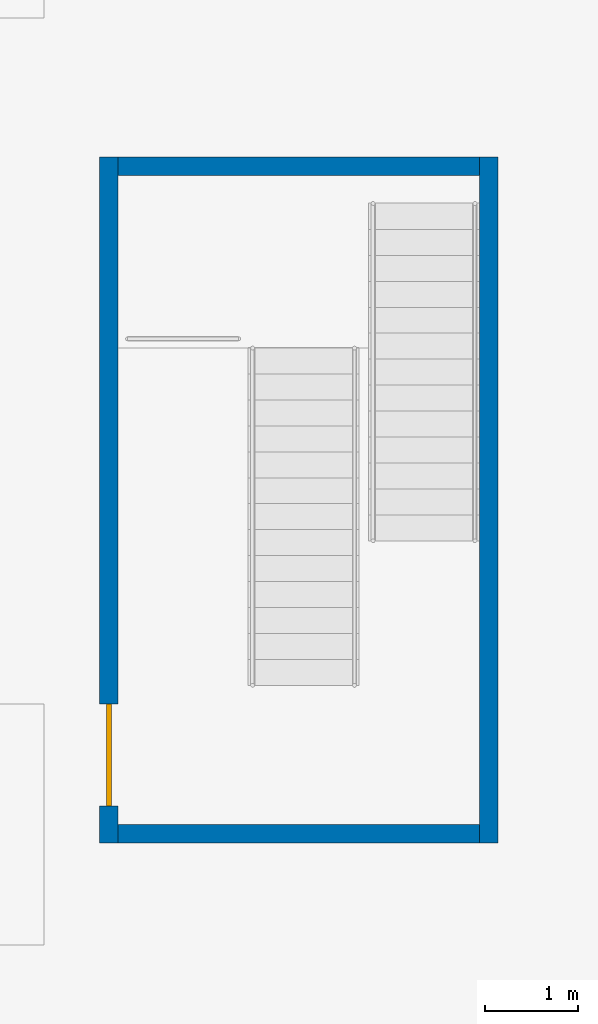
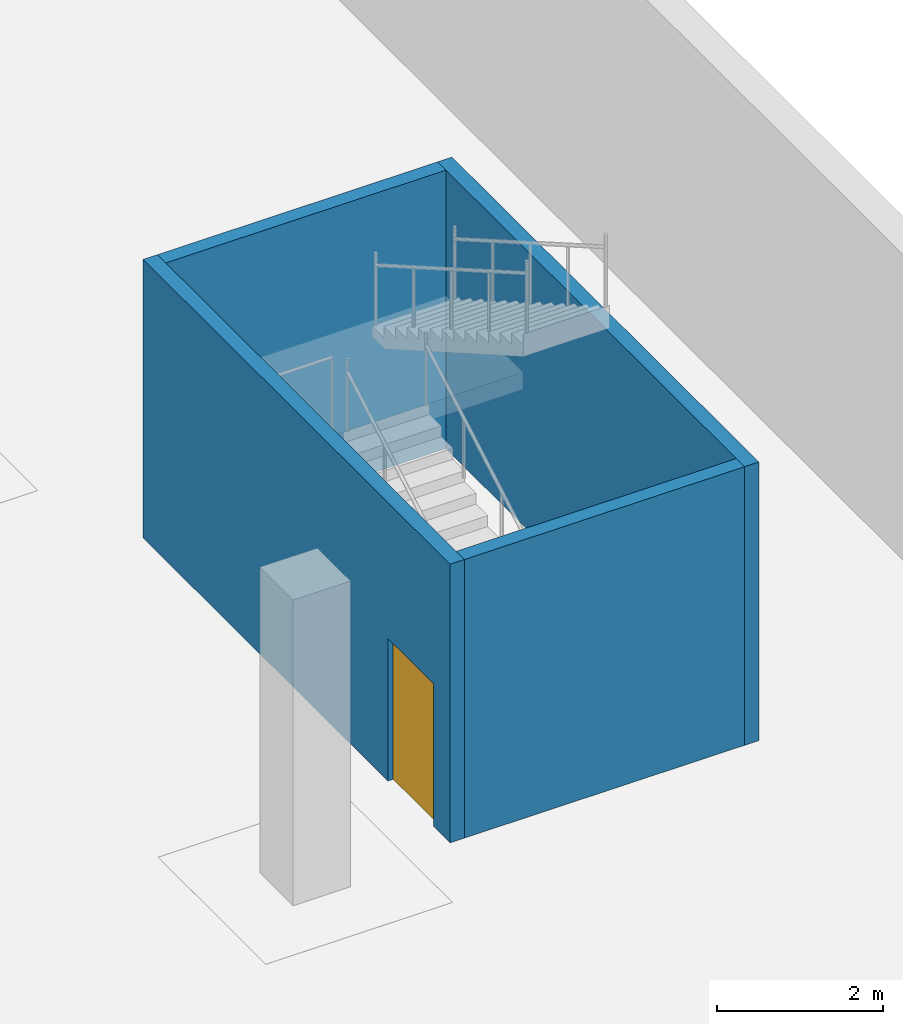
# One storey, part 10 of 19: 4 walls, 1 door, 1 opening.
"""IFC4 building model written with IfcOpenShell, lengths in metres."""

from ifc_helpers import new_model, si_unit, direction, frame, frame_2d, origin, place, context, subcontext, project, spatial, rectangle, extrude, material, layer, layer_set, type_object, element, fill, save


model = new_model("IFC4")

# Units and contexts
model_context = context("Model", 3, precision=1e-05, world=origin(), true_north=direction((0.0, 1.0)))
body_context = subcontext(model_context, "Body", "Model", "MODEL_VIEW")
ifc_project = project(units=[si_unit("LENGTHUNIT", "METRE"), si_unit("AREAUNIT", "SQUARE_METRE"), si_unit("VOLUMEUNIT", "CUBIC_METRE"), si_unit("PLANEANGLEUNIT", "RADIAN"), si_unit("MASSUNIT", "GRAM", prefix="KILO")], contexts=[model_context])

# Site, building, storey
site_placement = place(None, origin())
site = spatial("IfcSite", under=ifc_project, at=site_placement, CompositionType="ELEMENT")
building_placement = place(site_placement, origin())
building = spatial("IfcBuilding", under=site, at=building_placement, Name="Qaws Garden Tower", CompositionType="ELEMENT")
storey_placement = place(building_placement, frame((0.0, 0.0, -9.0)))
storey = spatial("IfcBuildingStorey", under=building, at=storey_placement, Name="B2", CompositionType="ELEMENT", Elevation=-9.0)

# Wall, opening, door
ifc_material_1 = material(Name="Concrete C40", Category="concrete")
ifc_layer = layer(ifc_material_1, 0.199951171875)
ifc_layer_set = layer_set([ifc_layer], Name="Concrete C40")
wall_type = type_object("IfcWallType", Name="Stair enclosure wall 200", PredefinedType="SOLIDWALL", material=ifc_layer_set)
wall_1_placement = place(storey_placement, frame((102.0, 39.800048828125, 0.0), z_axis=(0.0, 0.0, 1.0), x_axis=(0.0, 1.0, 0.0)))
wall_1 = element("IfcWall", 1, at=wall_1_placement, inside=storey, type_object=wall_type, Name="Stair E1 enclosure wall", PredefinedType="SOLIDWALL", context=body_context, shape_type="SweptSolid", body=[
    extrude(rectangle(XDim=7.39990234375, YDim=0.199951171875, at=frame_2d((3.699951171875, 0.0))), origin(), (0.0, 0.0, 1.0), 4.10009765625),
])
opening_placement = place(wall_1_placement, frame((0.39990234375, 0.0, 0.0)))
opening = element("IfcOpeningElement", 2, at=opening_placement, cuts=wall_1, Name="Opening PD4-03", PredefinedType="OPENING", context=body_context, shape_type="SweptSolid", body=[
    extrude(rectangle(XDim=1.10009765625, YDim=2.10009765625, at=frame_2d((0.550048828125, 1.050048828125))), frame((0.0, 0.10986328125, 0.0), z_axis=(0.0, -1.0, 0.0), x_axis=(1.0, 0.0, 0.0)), (0.0, 0.0, 1.0), 0.219970703125),
])
ifc_material_2 = material(Name="Steel S235 framed door leaf", Category="steel")
door_type = type_object("IfcDoorType", Name="Door D4 fire stair 1100", OperationType="SINGLE_SWING_LEFT", PredefinedType="DOOR", material=ifc_material_2)
door_placement = place(opening_placement, origin())
door = element("IfcDoor", 3, at=door_placement, inside=storey, type_object=door_type, Name="Exit stair door", OperationType="SINGLE_SWING_LEFT", OverallHeight=2.10009765625, OverallWidth=1.10009765625, PredefinedType="DOOR", context=body_context, shape_type="SweptSolid", body=[
    extrude(rectangle(XDim=1.10009765625, YDim=2.10009765625, at=frame_2d((0.550048828125, 1.050048828125))), frame((0.0, 0.02490234375, 0.0), z_axis=(0.0, -1.0, 0.0), x_axis=(1.0, 0.0, 0.0)), (0.0, 0.0, 1.0), 0.050048828125),
])
fill(opening, door)

# Walls
wall_2_placement = place(storey_placement, frame((106.10009765625, 39.800048828125, 0.0), z_axis=(0.0, 0.0, 1.0), x_axis=(0.0, 1.0, 0.0)))
element("IfcWall", 4, at=wall_2_placement, inside=storey, type_object=wall_type, Name="Stair E1 enclosure wall", PredefinedType="SOLIDWALL", context=body_context, shape_type="SweptSolid", body=[
    extrude(rectangle(XDim=7.39990234375, YDim=0.199951171875, at=frame_2d((3.699951171875, 0.0))), origin(), (0.0, 0.0, 1.0), 4.10009765625),
])
for number, where, z_axis, x_axis, name in (
    (5, (102.10009765625, 39.89990234375, 0.0), (0.0, 0.0, 1.0), (1.0, 0.0, 0.0), "Stair E1 enclosure wall"),
    (6, (102.10009765625, 47.10009765625, 0.0), (0.0, 0.0, 1.0), (1.0, 0.0, 0.0), "Stair E1 enclosure wall"),
):
    element("IfcWall", number, at=place(storey_placement, frame(where, z_axis=z_axis, x_axis=x_axis)), inside=storey, type_object=wall_type, Name=name, PredefinedType="SOLIDWALL", context=body_context, shape_type="SweptSolid", body=[
        extrude(rectangle(XDim=3.89990234375, YDim=0.199951171875, at=frame_2d((1.949951171875, 0.0))), origin(), (0.0, 0.0, 1.0), 4.10009765625),
    ])

save(model, "model.ifc")
